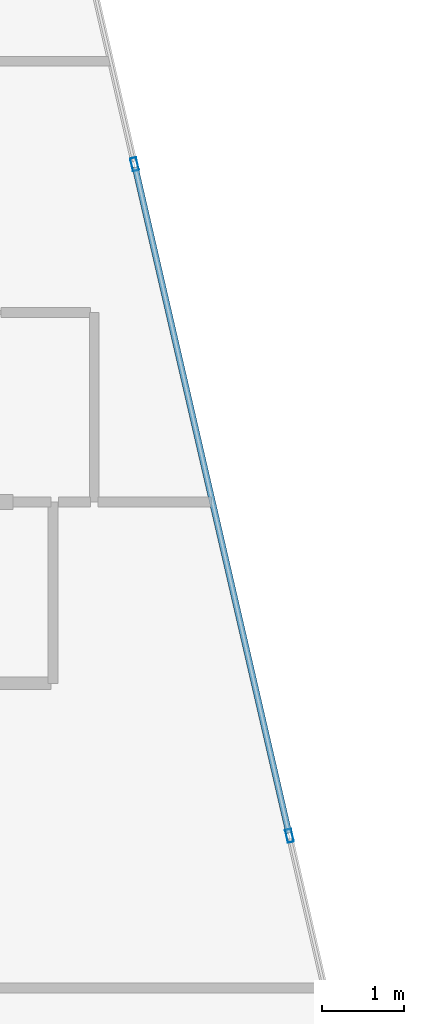
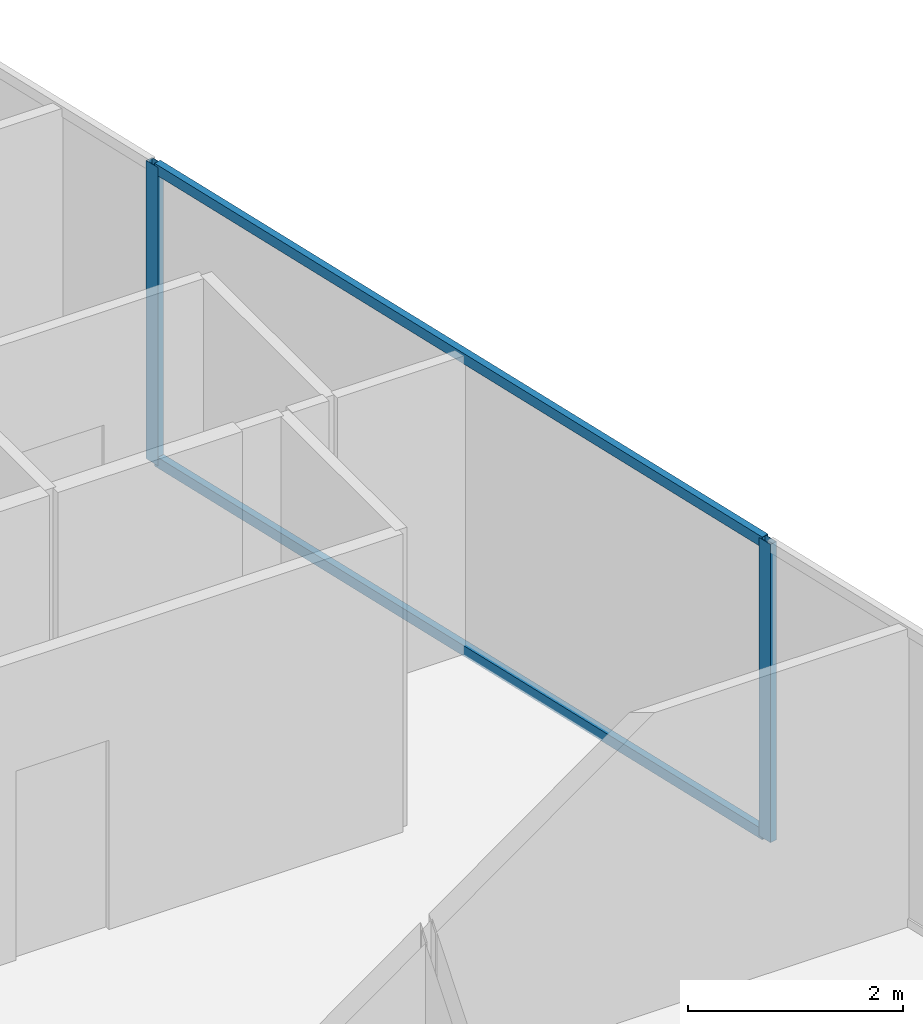
# One storey, part 20 of 29: 4 members, 1 element without a shape of its own.
"""IFC4 building model written with IfcOpenShell, lengths in metres."""

from ifc_helpers import new_model, si_unit, direction, frame, origin, origin_2d, place, context, subcontext, project, spatial, hollow_rectangle, extrude, material, layer, layer_set, material_profile, profile_set, type_object, element, aggregate, save


model = new_model("IFC4")

# Units and contexts
model_context = context("Model", 3, precision=1e-05, world=origin(), true_north=direction((0.0, 1.0)))
body_context = subcontext(model_context, "Body", "Model", "MODEL_VIEW")
ifc_project = project(units=[si_unit("LENGTHUNIT", "METRE"), si_unit("AREAUNIT", "SQUARE_METRE"), si_unit("VOLUMEUNIT", "CUBIC_METRE"), si_unit("PLANEANGLEUNIT", "RADIAN"), si_unit("MASSUNIT", "GRAM", prefix="KILO")], contexts=[model_context])

# Site, building, storey
site_placement = place(None, origin())
site = spatial("IfcSite", under=ifc_project, at=site_placement, CompositionType="ELEMENT")
building_placement = place(site_placement, origin())
building = spatial("IfcBuilding", under=site, at=building_placement, Name="Keshet Zoharim Tower", CompositionType="ELEMENT")
storey_placement = place(building_placement, frame((0.0, 0.0, 199.5)))
storey = spatial("IfcBuildingStorey", under=building, at=storey_placement, Name="L49", CompositionType="ELEMENT", Elevation=199.5)

# Curtain wall, members
ifc_material = material(Name="Aluminium 6063-T6", Category="aluminium")
ifc_layer = layer(ifc_material, 0.139892578125)
ifc_layer_set = layer_set([ifc_layer], Name="Aluminium 6063-T6")
curtain_wall_type = type_object("IfcCurtainWallType", Name="CW-SYS-05", PredefinedType="NOTDEFINED", material=ifc_layer_set)
curtain_wall_placement = place(storey_placement, origin())
curtain_wall = element("IfcCurtainWall", 1, at=curtain_wall_placement, inside=storey, type_object=curtain_wall_type, Name="L49 Unitised Curtain Wall 19", PredefinedType="NOTDEFINED")
ifc_material_profile_1 = material_profile(ifc_material, hollow_rectangle(XDim=0.074951171875, YDim=0.159912109375, WallThickness=0.00390625, at=origin_2d()), Name="MUL-75x160")
ifc_profile_set_1 = profile_set([ifc_material_profile_1], Name="Aluminium 6063-T6")
member_type_1 = type_object("IfcMemberType", Name="CWM-M15", PredefinedType="MULLION", material=ifc_profile_set_1)
member_1_placement = place(storey_placement, frame((41.23876953125, 44.199951171875, 0.0), z_axis=(0.0, 0.0, 1.0), x_axis=(0.974393882313, 0.224847864369, 0.0)))
member_1 = element("IfcMember", 2, at=member_1_placement, type_object=member_type_1, Name="CW-05 mullion 2", PredefinedType="MULLION", context=body_context, shape_type="SweptSolid", body=[
    extrude(hollow_rectangle(XDim=0.074951171875, YDim=0.159912109375, WallThickness=0.00390625, at=origin_2d()), origin(), (0.0, 0.0, 1.0), 3.389892578125),
])
member_2_placement = place(storey_placement, frame((43.119384765625, 36.050048828125, 0.0), z_axis=(0.0, 0.0, 1.0), x_axis=(0.974393882313, 0.224847864369, 0.0)))
member_2 = element("IfcMember", 3, at=member_2_placement, type_object=member_type_1, Name="CW-05 mullion 3", PredefinedType="MULLION", context=body_context, shape_type="SweptSolid", body=[
    extrude(hollow_rectangle(XDim=0.074951171875, YDim=0.159912109375, WallThickness=0.00390625, at=origin_2d()), origin(), (0.0, 0.0, 1.0), 3.389892578125),
])
ifc_material_profile_2 = material_profile(ifc_material, hollow_rectangle(XDim=0.074951171875, YDim=0.1201171875, WallThickness=0.00390625, at=origin_2d()), Name="TRN-75x120")
ifc_profile_set_2 = profile_set([ifc_material_profile_2], Name="Aluminium 6063-T6")
member_type_2 = type_object("IfcMemberType", Name="CWT-T12", PredefinedType="USERDEFINED", material=ifc_profile_set_2)
member_3_placement = place(storey_placement, frame((41.24658203125, 44.166015625, 0.034912109375), z_axis=(0.224848758198, -0.974393676055, 0.0), x_axis=(0.974393676055, 0.224848758198, 0.0)))
member_3 = element("IfcMember", 4, at=member_3_placement, type_object=member_type_2, Name="CW-05 transom 2.1", ObjectType="TRANSOM", PredefinedType="USERDEFINED", context=body_context, shape_type="SweptSolid", body=[
    extrude(hollow_rectangle(XDim=0.074951171875, YDim=0.1201171875, WallThickness=0.00390625, at=origin_2d()), origin(), (0.0, 0.0, 1.0), 8.29443359375),
])
member_4_placement = place(storey_placement, frame((41.24658203125, 44.166015625, 3.35498046875), z_axis=(0.224848758198, -0.974393676055, 0.0), x_axis=(0.974393676055, 0.224848758198, 0.0)))
member_4 = element("IfcMember", 5, at=member_4_placement, type_object=member_type_2, Name="CW-05 transom 2.2", ObjectType="TRANSOM", PredefinedType="USERDEFINED", context=body_context, shape_type="SweptSolid", body=[
    extrude(hollow_rectangle(XDim=0.074951171875, YDim=0.1201171875, WallThickness=0.00390625, at=origin_2d()), origin(), (0.0, 0.0, 1.0), 8.29443359375),
])
aggregate(curtain_wall, [member_1, member_2, member_3, member_4])

save(model, "model.ifc")
